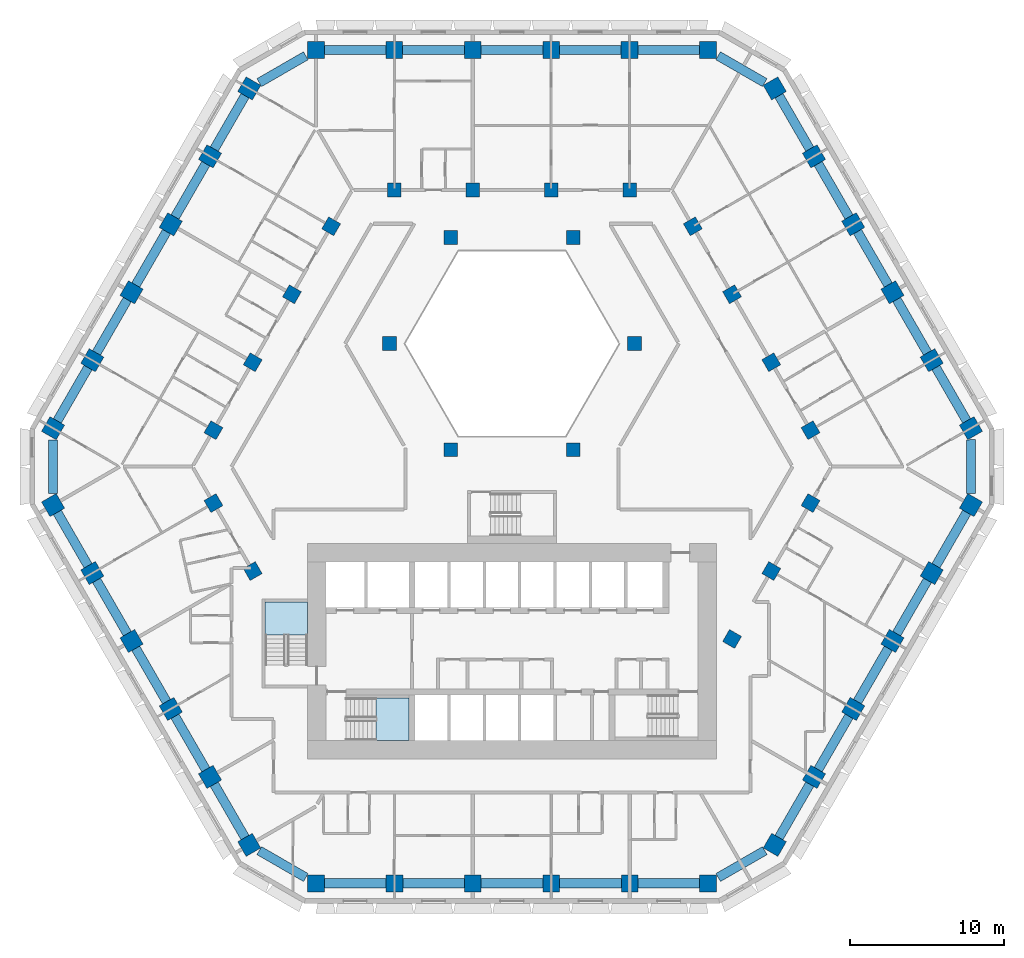
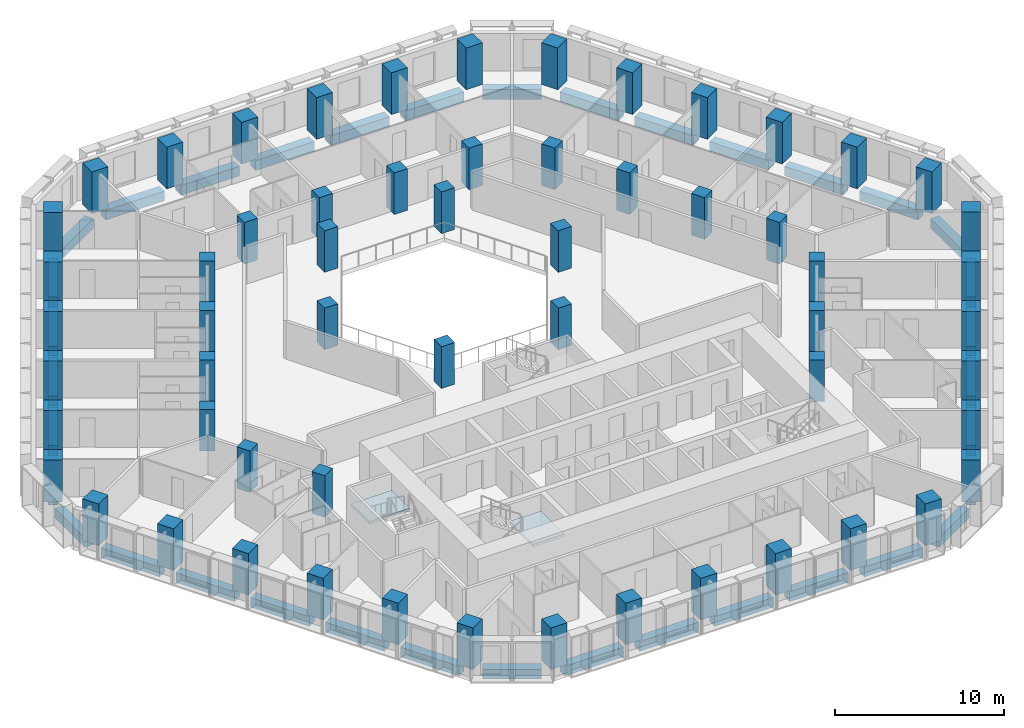
# One storey, part 1 of 16: 59 columns, 36 beams, 2 slabs, 2 elements without a shape of their own.
"""IFC4 building model written with IfcOpenShell, lengths in metres."""

from ifc_helpers import new_model, si_unit, direction, frame, origin, origin_2d, place, context, subcontext, project, spatial, polyline, rectangle, outline, extrude, material, layer, layer_set, material_profile, profile_set, type_object, element, aggregate, save


model = new_model("IFC4")

# Units and contexts
model_context = context("Model", 3, precision=1e-05, world=origin(), true_north=direction((0.0, 1.0)))
body_context = subcontext(model_context, "Body", "Model", "MODEL_VIEW")
ifc_project = project(units=[si_unit("LENGTHUNIT", "METRE"), si_unit("AREAUNIT", "SQUARE_METRE"), si_unit("VOLUMEUNIT", "CUBIC_METRE"), si_unit("PLANEANGLEUNIT", "RADIAN"), si_unit("MASSUNIT", "GRAM", prefix="KILO")], contexts=[model_context])

# Site, building, storey
site_placement = place(None, origin())
site = spatial("IfcSite", under=ifc_project, at=site_placement, CompositionType="ELEMENT")
building_placement = place(site_placement, origin())
building = spatial("IfcBuilding", under=site, at=building_placement, Name="Beryl Residences", CompositionType="ELEMENT")
storey_placement = place(building_placement, frame((0.0, 0.0, 56.39990234375)))
storey = spatial("IfcBuildingStorey", under=building, at=storey_placement, Name="L17", CompositionType="ELEMENT", Elevation=56.39990234375)

# Columns
ifc_material_1 = material(Name="Concrete C80/95", Category="concrete")
ifc_material_profile_1 = material_profile(ifc_material_1, rectangle(XDim=1.10009765625, YDim=1.10009765625, at=origin_2d()))
ifc_profile_set_1 = profile_set([ifc_material_profile_1], Name="Concrete C80/95")
column_type_1 = type_object("IfcColumnType", Name="C1 tube column 1100 x 1100 C80/95", PredefinedType="COLUMN", material=ifc_profile_set_1)
for number, where, z_axis, x_axis, name in (
    (1, (12.759033203125, 27.10009765625, 0.0), (0.0, 0.0, 1.0), (-1.0, 0.0, 0.0), "C1-N1 L17"),
    (2, (7.655029296875, 27.10009765625, 0.0), (0.0, 0.0, 1.0), (-1.0, 0.0, 0.0), "C1-N2 L17"),
    (3, (2.551025390625, 27.10009765625, 0.0), (0.0, 0.0, 1.0), (-1.0, 0.0, 0.0), "C1-N3 L17"),
    (4, (-2.552978515625, 27.10009765625, 0.0), (0.0, 0.0, 1.0), (-1.0, 0.0, 0.0), "C1-N4 L17"),
    (5, (-7.656982421875, 27.10009765625, 0.0), (0.0, 0.0, 1.0), (-1.0, 0.0, 0.0), "C1-N5 L17"),
    (6, (-12.760986328125, 27.10009765625, 0.0), (0.0, 0.0, 1.0), (-1.0, 0.0, 0.0), "C1-N6 L17"),
    (7, (-17.090087890625, 24.60009765625, 0.0), (0.0, 0.0, 1.0), (-0.499984884929, -0.866034130299, 0.0), "C1-NW1 L17"),
    (8, (-19.64208984375, 20.179931640625, 0.0), (0.0, 0.0, 1.0), (-0.499984884929, -0.866034130299, 0.0), "C1-NW2 L17"),
    (9, (-22.194091796875, 15.759033203125, 0.0), (0.0, 0.0, 1.0), (-0.499984884929, -0.866034130299, 0.0), "C1-NW3 L17"),
    (10, (-24.74609375, 11.339111328125, 0.0), (0.0, 0.0, 1.0), (-0.499984884929, -0.866034130299, 0.0), "C1-NW4 L17"),
    (11, (-27.298095703125, 6.9189453125, 0.0), (0.0, 0.0, 1.0), (-0.499984884929, -0.866034130299, 0.0), "C1-NW5 L17"),
    (12, (-29.84912109375, 2.4990234375, 0.0), (0.0, 0.0, 1.0), (-0.499984884929, -0.866034130299, 0.0), "C1-NW6 L17"),
    (13, (-29.847900390625, -2.5, 0.0), (0.0, 0.0, 1.0), (0.499984884929, -0.866034130299, 0.0), "C1-SW1 L17"),
    (14, (-27.297119140625, -6.9208984375, 0.0), (0.0, 0.0, 1.0), (0.499984884929, -0.866034130299, 0.0), "C1-SW2 L17"),
    (15, (-24.7451171875, -11.341064453125, 0.0), (0.0, 0.0, 1.0), (0.499984884929, -0.866034130299, 0.0), "C1-SW3 L17"),
    (16, (-22.193115234375, -15.760986328125, 0.0), (0.0, 0.0, 1.0), (0.499984884929, -0.866034130299, 0.0), "C1-SW4 L17"),
    (17, (-19.64111328125, -20.180908203125, 0.0), (0.0, 0.0, 1.0), (0.499984884929, -0.866034130299, 0.0), "C1-SW5 L17"),
    (18, (-17.089111328125, -24.60107421875, 0.0), (0.0, 0.0, 1.0), (0.499984884929, -0.866034130299, 0.0), "C1-SW6 L17"),
    (19, (-12.759033203125, -27.10009765625, 0.0), (0.0, 0.0, 1.0), (1.0, 0.0, 0.0), "C1-S1 L17"),
    (20, (-7.655029296875, -27.10009765625, 0.0), (0.0, 0.0, 1.0), (1.0, 0.0, 0.0), "C1-S2 L17"),
    (21, (-2.551025390625, -27.10009765625, 0.0), (0.0, 0.0, 1.0), (1.0, 0.0, 0.0), "C1-S3 L17"),
    (22, (2.552978515625, -27.10009765625, 0.0), (0.0, 0.0, 1.0), (1.0, 0.0, 0.0), "C1-S4 L17"),
    (23, (7.656982421875, -27.10009765625, 0.0), (0.0, 0.0, 1.0), (1.0, 0.0, 0.0), "C1-S5 L17"),
    (24, (12.760986328125, -27.10009765625, 0.0), (0.0, 0.0, 1.0), (1.0, 0.0, 0.0), "C1-S6 L17"),
    (25, (17.090087890625, -24.60009765625, 0.0), (0.0, 0.0, 1.0), (0.499984884929, 0.866034130299, 0.0), "C1-SE1 L17"),
    (26, (19.64208984375, -20.179931640625, 0.0), (0.0, 0.0, 1.0), (0.499984884929, 0.866034130299, 0.0), "C1-SE2 L17"),
    (27, (22.194091796875, -15.759033203125, 0.0), (0.0, 0.0, 1.0), (0.499984884929, 0.866034130299, 0.0), "C1-SE3 L17"),
    (28, (24.74609375, -11.339111328125, 0.0), (0.0, 0.0, 1.0), (0.499984884929, 0.866034130299, 0.0), "C1-SE4 L17"),
    (29, (27.298095703125, -6.9189453125, 0.0), (0.0, 0.0, 1.0), (0.499984884929, 0.866034130299, 0.0), "C1-SE5 L17"),
    (30, (29.84912109375, -2.4990234375, 0.0), (0.0, 0.0, 1.0), (0.499984884929, 0.866034130299, 0.0), "C1-SE6 L17"),
    (31, (29.847900390625, 2.5, 0.0), (0.0, 0.0, 1.0), (-0.499984884929, 0.866034130299, 0.0), "C1-NE1 L17"),
    (32, (27.297119140625, 6.9208984375, 0.0), (0.0, 0.0, 1.0), (-0.499984884929, 0.866034130299, 0.0), "C1-NE2 L17"),
    (33, (24.7451171875, 11.341064453125, 0.0), (0.0, 0.0, 1.0), (-0.499984884929, 0.866034130299, 0.0), "C1-NE3 L17"),
    (34, (22.193115234375, 15.760986328125, 0.0), (0.0, 0.0, 1.0), (-0.499984884929, 0.866034130299, 0.0), "C1-NE4 L17"),
    (35, (19.64111328125, 20.180908203125, 0.0), (0.0, 0.0, 1.0), (-0.499984884929, 0.866034130299, 0.0), "C1-NE5 L17"),
    (36, (17.089111328125, 24.60107421875, 0.0), (0.0, 0.0, 1.0), (-0.499984884929, 0.866034130299, 0.0), "C1-NE6 L17"),
):
    element("IfcColumn", number, at=place(storey_placement, frame(where, z_axis=z_axis, x_axis=x_axis)), inside=storey, type_object=column_type_1, Name=name, PredefinedType="COLUMN", context=body_context, shape_type="SweptSolid", body=[
        extrude(rectangle(XDim=1.10009765625, YDim=1.10009765625, at=origin_2d()), origin(), (0.0, 0.0, 1.0), 3.0),
    ])
ifc_material_2 = material(Name="Concrete C80/95", Category="concrete")
ifc_material_profile_2 = material_profile(ifc_material_2, rectangle(XDim=0.89990234375, YDim=0.89990234375, at=origin_2d()))
ifc_profile_set_2 = profile_set([ifc_material_profile_2], Name="Concrete C80/95")
column_type_2 = type_object("IfcColumnType", Name="IC1 interior column 900 x 900 C80/95", PredefinedType="COLUMN", material=ifc_profile_set_2)
for number, where, z_axis, x_axis, name in (
    (37, (-19.416015625, -2.37109375, 0.0), (0.0, 0.0, 1.0), (0.499984884929, -0.866034130299, 0.0), "IC1-M01 L17"),
    (38, (-16.864013671875, -6.791015625, 0.0), (0.0, 0.0, 1.0), (0.499984884929, -0.866034130299, 0.0), "IC1-M02 L17"),
    (39, (14.31298828125, -11.208984375, 0.0), (0.0, 0.0, 1.0), (0.499984884929, 0.866034130299, 0.0), "IC1-M03 L17"),
    (40, (16.864990234375, -6.7890625, 0.0), (0.0, 0.0, 1.0), (0.499984884929, 0.866034130299, 0.0), "IC1-M04 L17"),
    (41, (19.4169921875, -2.368896484375, 0.0), (0.0, 0.0, 1.0), (0.499984884929, 0.866034130299, 0.0), "IC1-M05 L17"),
    (42, (19.416015625, 2.37109375, 0.0), (0.0, 0.0, 1.0), (-0.499984884929, 0.866034130299, 0.0), "IC1-M06 L17"),
    (43, (3.98388671875, 1.10009765625, 0.0), (0.0, 0.0, 1.0), (1.0, 0.0, 0.0), "IC1-A07 L17"),
    (44, (16.864013671875, 6.791015625, 0.0), (0.0, 0.0, 1.0), (-0.499984884929, 0.866034130299, 0.0), "IC1-M08 L17"),
    (45, (14.31201171875, 11.2109375, 0.0), (0.0, 0.0, 1.0), (-0.499984884929, 0.866034130299, 0.0), "IC1-M09 L17"),
    (46, (7.967041015625, 8.0, 0.0), (0.0, 0.0, 1.0), (1.0, 0.0, 0.0), "IC1-A10 L17"),
    (47, (11.760009765625, 15.631103515625, 0.0), (0.0, 0.0, 1.0), (-0.499984884929, 0.866034130299, 0.0), "IC1-M11 L17"),
    (48, (7.655029296875, 18.0, 0.0), (0.0, 0.0, 1.0), (-1.0, 0.0, 0.0), "IC1-M12 L17"),
    (49, (3.98388671875, 14.89990234375, 0.0), (0.0, 0.0, 1.0), (1.0, 0.0, 0.0), "IC1-A13 L17"),
    (50, (2.551025390625, 18.0, 0.0), (0.0, 0.0, 1.0), (-1.0, 0.0, 0.0), "IC1-M14 L17"),
    (51, (-2.552978515625, 18.0, 0.0), (0.0, 0.0, 1.0), (-1.0, 0.0, 0.0), "IC1-M15 L17"),
    (52, (-3.98388671875, 14.89990234375, 0.0), (0.0, 0.0, 1.0), (1.0, 0.0, 0.0), "IC1-A16 L17"),
    (53, (-7.656982421875, 18.0, 0.0), (0.0, 0.0, 1.0), (-1.0, 0.0, 0.0), "IC1-M17 L17"),
    (54, (-11.760986328125, 15.6298828125, 0.0), (0.0, 0.0, 1.0), (-0.499984884929, -0.866034130299, 0.0), "IC1-M18 L17"),
    (55, (-7.967041015625, 8.0, 0.0), (0.0, 0.0, 1.0), (1.0, 0.0, 0.0), "IC1-A19 L17"),
    (56, (-14.31298828125, 11.208984375, 0.0), (0.0, 0.0, 1.0), (-0.499984884929, -0.866034130299, 0.0), "IC1-M20 L17"),
    (57, (-16.864990234375, 6.7890625, 0.0), (0.0, 0.0, 1.0), (-0.499984884929, -0.866034130299, 0.0), "IC1-M21 L17"),
    (58, (-3.98388671875, 1.10009765625, 0.0), (0.0, 0.0, 1.0), (1.0, 0.0, 0.0), "IC1-A22 L17"),
    (59, (-19.4169921875, 2.368896484375, 0.0), (0.0, 0.0, 1.0), (-0.499984884929, -0.866034130299, 0.0), "IC1-M23 L17"),
):
    element("IfcColumn", number, at=place(storey_placement, frame(where, z_axis=z_axis, x_axis=x_axis)), inside=storey, type_object=column_type_2, Name=name, PredefinedType="COLUMN", context=body_context, shape_type="SweptSolid", body=[
        extrude(rectangle(XDim=0.89990234375, YDim=0.89990234375, at=origin_2d()), origin(), (0.0, 0.0, 1.0), 3.0),
    ])

# Beams
ifc_material_3 = material(Name="Concrete C80/95", Category="concrete")
ifc_material_profile_3 = material_profile(ifc_material_3, rectangle(XDim=0.60009765625, YDim=0.699951171875, at=origin_2d()))
ifc_profile_set_3 = profile_set([ifc_material_profile_3], Name="Concrete C80/95")
beam_type = type_object("IfcBeamType", Name="SB1 spandrel beam 600 x 700 C80/95", PredefinedType="SPANDREL", material=ifc_profile_set_3)
for number, where, z_axis, x_axis, name in (
    (60, (12.208984375, 27.10009765625, -0.64990234375), (-1.0, 0.0, 0.0), (0.0, -1.0, 0.0), "SB1 L17 N-0"),
    (61, (7.10498046875, 27.10009765625, -0.64990234375), (-1.0, 0.0, 0.0), (0.0, -1.0, 0.0), "SB1 L17 N-1"),
    (62, (2.0009765625, 27.10009765625, -0.64990234375), (-1.0, 0.0, 0.0), (0.0, -1.0, 0.0), "SB1 L17 N-2"),
    (63, (-3.10302734375, 27.10009765625, -0.64990234375), (-1.0, 0.0, 0.0), (0.0, -1.0, 0.0), "SB1 L17 N-3"),
    (64, (-8.20703125, 27.10009765625, -0.64990234375), (-1.0, 0.0, 0.0), (0.0, -1.0, 0.0), "SB1 L17 N-4"),
):
    element("IfcBeam", number, at=place(storey_placement, frame(where, z_axis=z_axis, x_axis=x_axis)), inside=storey, type_object=beam_type, Name=name, PredefinedType="SPANDREL", context=body_context, shape_type="SweptSolid", body=[
        extrude(rectangle(XDim=0.60009765625, YDim=0.699951171875, at=origin_2d()), origin(), (0.0, 0.0, 1.0), 4.00390625),
    ])
beam_1_placement = place(storey_placement, frame((-13.410888671875, 26.72412109375, -0.64990234375), z_axis=(-0.866121658299, -0.499833245218, 0.0), x_axis=(0.499833245218, -0.866121658299, 0.0)))
element("IfcBeam", 65, at=beam_1_placement, inside=storey, type_object=beam_type, Name="SB1 L17 N-5", PredefinedType="SPANDREL", context=body_context, shape_type="SweptSolid", body=[
    extrude(rectangle(XDim=0.60009765625, YDim=0.699951171875, at=origin_2d()), origin(), (0.0, 0.0, 1.0), 3.497314453125),
])
beam_2_placement = place(storey_placement, frame((-17.364990234375, 24.1240234375, -0.64990234375), z_axis=(-0.499942357345, -0.866058681229, 0.0), x_axis=(0.866058681229, -0.499942357345, 0.0)))
element("IfcBeam", 66, at=beam_2_placement, inside=storey, type_object=beam_type, Name="SB1 L17 NW-0", PredefinedType="SPANDREL", context=body_context, shape_type="SweptSolid", body=[
    extrude(rectangle(XDim=0.60009765625, YDim=0.699951171875, at=origin_2d()), origin(), (0.0, 0.0, 1.0), 4.00439453125),
])
beam_3_placement = place(storey_placement, frame((-19.9169921875, 19.7041015625, -0.64990234375), z_axis=(-0.499836783367, -0.866119616446, 0.0), x_axis=(0.866119616446, -0.499836783367, 0.0)))
element("IfcBeam", 67, at=beam_3_placement, inside=storey, type_object=beam_type, Name="SB1 L17 NW-1", PredefinedType="SPANDREL", context=body_context, shape_type="SweptSolid", body=[
    extrude(rectangle(XDim=0.60009765625, YDim=0.699951171875, at=origin_2d()), origin(), (0.0, 0.0, 1.0), 4.005126953125),
])
for number, where, z_axis, x_axis, name in (
    (68, (-22.468994140625, 15.282958984375, -0.64990234375), (-0.499942357345, -0.866058681229, 0.0), (0.866058681229, -0.499942357345, 0.0), "SB1 L17 NW-2"),
    (69, (-25.02099609375, 10.863037109375, -0.64990234375), (-0.499942357345, -0.866058681229, 0.0), (0.866058681229, -0.499942357345, 0.0), "SB1 L17 NW-3"),
):
    element("IfcBeam", number, at=place(storey_placement, frame(where, z_axis=z_axis, x_axis=x_axis)), inside=storey, type_object=beam_type, Name=name, PredefinedType="SPANDREL", context=body_context, shape_type="SweptSolid", body=[
        extrude(rectangle(XDim=0.60009765625, YDim=0.699951171875, at=origin_2d()), origin(), (0.0, 0.0, 1.0), 4.00439453125),
    ])
beam_4_placement = place(storey_placement, frame((-27.572998046875, 6.443115234375, -0.64990234375), z_axis=(-0.499759404093, -0.866164267342, 0.0), x_axis=(0.866164267342, -0.499759404093, 0.0)))
element("IfcBeam", 70, at=beam_4_placement, inside=storey, type_object=beam_type, Name="SB1 L17 NW-4", PredefinedType="SPANDREL", context=body_context, shape_type="SweptSolid", body=[
    extrude(rectangle(XDim=0.60009765625, YDim=0.699951171875, at=origin_2d()), origin(), (0.0, 0.0, 1.0), 4.00390625),
])
beam_5_placement = place(storey_placement, frame((-29.84912109375, 1.748046875, -0.64990234375), z_axis=(0.000349064486, -0.999999939077, 0.0), x_axis=(0.999999939077, 0.000349064486, 0.0)))
element("IfcBeam", 71, at=beam_5_placement, inside=storey, type_object=beam_type, Name="SB1 L17 NW-5", PredefinedType="SPANDREL", context=body_context, shape_type="SweptSolid", body=[
    extrude(rectangle(XDim=0.60009765625, YDim=0.699951171875, at=origin_2d()), origin(), (0.0, 0.0, 1.0), 3.4970703125),
])
beam_6_placement = place(storey_placement, frame((-29.572998046875, -2.97607421875, -0.64990234375), z_axis=(0.499653843024, -0.866225165388, 0.0), x_axis=(0.866225165388, 0.499653843024, 0.0)))
element("IfcBeam", 72, at=beam_6_placement, inside=storey, type_object=beam_type, Name="SB1 L17 SW-0", PredefinedType="SPANDREL", context=body_context, shape_type="SweptSolid", body=[
    extrude(rectangle(XDim=0.60009765625, YDim=0.699951171875, at=origin_2d()), origin(), (0.0, 0.0, 1.0), 4.004638671875),
])
for number, where, z_axis, x_axis, name in (
    (73, (-27.02197265625, -7.39697265625, -0.64990234375), (0.499942357345, -0.866058681229, 0.0), (0.866058681229, 0.499942357345, 0.0), "SB1 L17 SW-1"),
    (74, (-24.469970703125, -11.81689453125, -0.64990234375), (0.499942357345, -0.866058681229, 0.0), (0.866058681229, 0.499942357345, 0.0), "SB1 L17 SW-2"),
    (75, (-21.91796875, -16.237060546875, -0.64990234375), (0.499942357345, -0.866058681229, 0.0), (0.866058681229, 0.499942357345, 0.0), "SB1 L17 SW-3"),
    (76, (-19.365966796875, -20.656982421875, -0.64990234375), (0.499942357345, -0.866058681229, 0.0), (0.866058681229, 0.499942357345, 0.0), "SB1 L17 SW-4"),
):
    element("IfcBeam", number, at=place(storey_placement, frame(where, z_axis=z_axis, x_axis=x_axis)), inside=storey, type_object=beam_type, Name=name, PredefinedType="SPANDREL", context=body_context, shape_type="SweptSolid", body=[
        extrude(rectangle(XDim=0.60009765625, YDim=0.699951171875, at=origin_2d()), origin(), (0.0, 0.0, 1.0), 4.00439453125),
    ])
beam_7_placement = place(storey_placement, frame((-16.43896484375, -24.97607421875, -0.64990234375), z_axis=(0.866070549782, -0.499921796684, 0.0), x_axis=(0.499921796684, 0.866070549782, 0.0)))
element("IfcBeam", 77, at=beam_7_placement, inside=storey, type_object=beam_type, Name="SB1 L17 SW-5", PredefinedType="SPANDREL", context=body_context, shape_type="SweptSolid", body=[
    extrude(rectangle(XDim=0.60009765625, YDim=0.699951171875, at=origin_2d()), origin(), (0.0, 0.0, 1.0), 3.49853515625),
])
for number, where, z_axis, x_axis, name in (
    (78, (-12.208984375, -27.10009765625, -0.64990234375), (1.0, 0.0, 0.0), (0.0, 1.0, 0.0), "SB1 L17 S-0"),
    (79, (-7.10498046875, -27.10009765625, -0.64990234375), (1.0, 0.0, 0.0), (0.0, 1.0, 0.0), "SB1 L17 S-1"),
    (80, (-2.0009765625, -27.10009765625, -0.64990234375), (1.0, 0.0, 0.0), (0.0, 1.0, 0.0), "SB1 L17 S-2"),
    (81, (3.10302734375, -27.10009765625, -0.64990234375), (1.0, 0.0, 0.0), (0.0, 1.0, 0.0), "SB1 L17 S-3"),
    (82, (8.20703125, -27.10009765625, -0.64990234375), (1.0, 0.0, 0.0), (0.0, 1.0, 0.0), "SB1 L17 S-4"),
):
    element("IfcBeam", number, at=place(storey_placement, frame(where, z_axis=z_axis, x_axis=x_axis)), inside=storey, type_object=beam_type, Name=name, PredefinedType="SPANDREL", context=body_context, shape_type="SweptSolid", body=[
        extrude(rectangle(XDim=0.60009765625, YDim=0.699951171875, at=origin_2d()), origin(), (0.0, 0.0, 1.0), 4.00390625),
    ])
beam_8_placement = place(storey_placement, frame((13.410888671875, -26.72412109375, -0.64990234375), z_axis=(0.866121658299, 0.499833245218, 0.0), x_axis=(-0.499833245218, 0.866121658299, 0.0)))
element("IfcBeam", 83, at=beam_8_placement, inside=storey, type_object=beam_type, Name="SB1 L17 S-5", PredefinedType="SPANDREL", context=body_context, shape_type="SweptSolid", body=[
    extrude(rectangle(XDim=0.60009765625, YDim=0.699951171875, at=origin_2d()), origin(), (0.0, 0.0, 1.0), 3.497314453125),
])
beam_9_placement = place(storey_placement, frame((17.364990234375, -24.1240234375, -0.64990234375), z_axis=(0.499942357345, 0.866058681229, 0.0), x_axis=(-0.866058681229, 0.499942357345, 0.0)))
element("IfcBeam", 84, at=beam_9_placement, inside=storey, type_object=beam_type, Name="SB1 L17 SE-0", PredefinedType="SPANDREL", context=body_context, shape_type="SweptSolid", body=[
    extrude(rectangle(XDim=0.60009765625, YDim=0.699951171875, at=origin_2d()), origin(), (0.0, 0.0, 1.0), 4.00439453125),
])
beam_10_placement = place(storey_placement, frame((19.9169921875, -19.7041015625, -0.64990234375), z_axis=(0.499836783367, 0.866119616446, 0.0), x_axis=(-0.866119616446, 0.499836783367, 0.0)))
element("IfcBeam", 85, at=beam_10_placement, inside=storey, type_object=beam_type, Name="SB1 L17 SE-1", PredefinedType="SPANDREL", context=body_context, shape_type="SweptSolid", body=[
    extrude(rectangle(XDim=0.60009765625, YDim=0.699951171875, at=origin_2d()), origin(), (0.0, 0.0, 1.0), 4.005126953125),
])
for number, where, z_axis, x_axis, name in (
    (86, (22.468994140625, -15.282958984375, -0.64990234375), (0.499942357345, 0.866058681229, 0.0), (-0.866058681229, 0.499942357345, 0.0), "SB1 L17 SE-2"),
    (87, (25.02099609375, -10.863037109375, -0.64990234375), (0.499942357345, 0.866058681229, 0.0), (-0.866058681229, 0.499942357345, 0.0), "SB1 L17 SE-3"),
):
    element("IfcBeam", number, at=place(storey_placement, frame(where, z_axis=z_axis, x_axis=x_axis)), inside=storey, type_object=beam_type, Name=name, PredefinedType="SPANDREL", context=body_context, shape_type="SweptSolid", body=[
        extrude(rectangle(XDim=0.60009765625, YDim=0.699951171875, at=origin_2d()), origin(), (0.0, 0.0, 1.0), 4.00439453125),
    ])
beam_11_placement = place(storey_placement, frame((27.572998046875, -6.443115234375, -0.64990234375), z_axis=(0.499759404093, 0.866164267342, 0.0), x_axis=(-0.866164267342, 0.499759404093, 0.0)))
element("IfcBeam", 88, at=beam_11_placement, inside=storey, type_object=beam_type, Name="SB1 L17 SE-4", PredefinedType="SPANDREL", context=body_context, shape_type="SweptSolid", body=[
    extrude(rectangle(XDim=0.60009765625, YDim=0.699951171875, at=origin_2d()), origin(), (0.0, 0.0, 1.0), 4.00390625),
])
beam_12_placement = place(storey_placement, frame((29.84912109375, -1.748046875, -0.64990234375), z_axis=(-0.000349064486, 0.999999939077, 0.0), x_axis=(-0.999999939077, -0.000349064486, 0.0)))
element("IfcBeam", 89, at=beam_12_placement, inside=storey, type_object=beam_type, Name="SB1 L17 SE-5", PredefinedType="SPANDREL", context=body_context, shape_type="SweptSolid", body=[
    extrude(rectangle(XDim=0.60009765625, YDim=0.699951171875, at=origin_2d()), origin(), (0.0, 0.0, 1.0), 3.4970703125),
])
beam_13_placement = place(storey_placement, frame((29.572998046875, 2.97607421875, -0.64990234375), z_axis=(-0.499653843024, 0.866225165388, 0.0), x_axis=(-0.866225165388, -0.499653843024, 0.0)))
element("IfcBeam", 90, at=beam_13_placement, inside=storey, type_object=beam_type, Name="SB1 L17 NE-0", PredefinedType="SPANDREL", context=body_context, shape_type="SweptSolid", body=[
    extrude(rectangle(XDim=0.60009765625, YDim=0.699951171875, at=origin_2d()), origin(), (0.0, 0.0, 1.0), 4.004638671875),
])
for number, where, z_axis, x_axis, name in (
    (91, (27.02197265625, 7.39697265625, -0.64990234375), (-0.499942357345, 0.866058681229, 0.0), (-0.866058681229, -0.499942357345, 0.0), "SB1 L17 NE-1"),
    (92, (24.469970703125, 11.81689453125, -0.64990234375), (-0.499942357345, 0.866058681229, 0.0), (-0.866058681229, -0.499942357345, 0.0), "SB1 L17 NE-2"),
    (93, (21.91796875, 16.237060546875, -0.64990234375), (-0.499942357345, 0.866058681229, 0.0), (-0.866058681229, -0.499942357345, 0.0), "SB1 L17 NE-3"),
    (94, (19.365966796875, 20.656982421875, -0.64990234375), (-0.499942357345, 0.866058681229, 0.0), (-0.866058681229, -0.499942357345, 0.0), "SB1 L17 NE-4"),
):
    element("IfcBeam", number, at=place(storey_placement, frame(where, z_axis=z_axis, x_axis=x_axis)), inside=storey, type_object=beam_type, Name=name, PredefinedType="SPANDREL", context=body_context, shape_type="SweptSolid", body=[
        extrude(rectangle(XDim=0.60009765625, YDim=0.699951171875, at=origin_2d()), origin(), (0.0, 0.0, 1.0), 4.00439453125),
    ])
beam_14_placement = place(storey_placement, frame((16.43896484375, 24.97607421875, -0.64990234375), z_axis=(-0.866070549782, 0.499921796684, 0.0), x_axis=(-0.499921796684, -0.866070549782, 0.0)))
element("IfcBeam", 95, at=beam_14_placement, inside=storey, type_object=beam_type, Name="SB1 L17 NE-5", PredefinedType="SPANDREL", context=body_context, shape_type="SweptSolid", body=[
    extrude(rectangle(XDim=0.60009765625, YDim=0.699951171875, at=origin_2d()), origin(), (0.0, 0.0, 1.0), 3.49853515625),
])

# Stair, slab
ifc_material_4 = material(Name="Concrete C40/50", Category="concrete")
stair_type = type_object("IfcStairType", Name="ST1 protected exit stair, half-turn, 1300 mm flights", PredefinedType="HALF_TURN_STAIR", material=ifc_material_4)
stair_1_placement = place(storey_placement, origin())
stair_1 = element("IfcStair", 96, at=stair_1_placement, inside=storey, type_object=stair_type, Name="L17 PROTECTED EXIT STAIR ST-1", PredefinedType="HALF_TURN_STAIR")
ifc_material_5 = material(Name="Concrete C40/50", Category="concrete")
ifc_layer = layer(ifc_material_5, 0.199951171875)
ifc_layer_set = layer_set([ifc_layer], Name="SLD1 stair landing 200 mm")
slab_type = type_object("IfcSlabType", Name="SLD1 stair landing 200 mm", PredefinedType="LANDING", material=ifc_layer_set)
slab_1_placement = place(storey_placement, frame((0.0, 0.0, 1.300048828125)))
slab_1 = element("IfcSlab", 97, at=slab_1_placement, type_object=slab_type, Name="ST-1 landing 1", PredefinedType="LANDING", context=body_context, shape_type="SweptSolid", body=[
    extrude(outline(polyline([(-8.840087890625, -17.800048828125), (-6.699951171875, -17.800048828125), (-6.699951171875, -15.050048828125), (-8.840087890625, -15.050048828125), (-8.840087890625, -17.800048828125)])), origin(), (0.0, 0.0, 1.0), 0.199951171875),
])
aggregate(stair_1, [slab_1])

stair_2_placement = place(storey_placement, origin())
stair_2 = element("IfcStair", 98, at=stair_2_placement, inside=storey, type_object=stair_type, Name="L17 PROTECTED EXIT STAIR ST-2", PredefinedType="HALF_TURN_STAIR")
slab_2_placement = place(storey_placement, frame((0.0, 0.0, 1.300048828125)))
slab_2 = element("IfcSlab", 99, at=slab_2_placement, type_object=slab_type, Name="ST-2 landing 1", PredefinedType="LANDING", context=body_context, shape_type="SweptSolid", body=[
    extrude(outline(polyline([(-13.300048828125, -10.93994140625), (-13.300048828125, -8.800048828125), (-16.050048828125, -8.800048828125), (-16.050048828125, -10.93994140625), (-13.300048828125, -10.93994140625)])), origin(), (0.0, 0.0, 1.0), 0.199951171875),
])
aggregate(stair_2, [slab_2])

save(model, "model.ifc")
